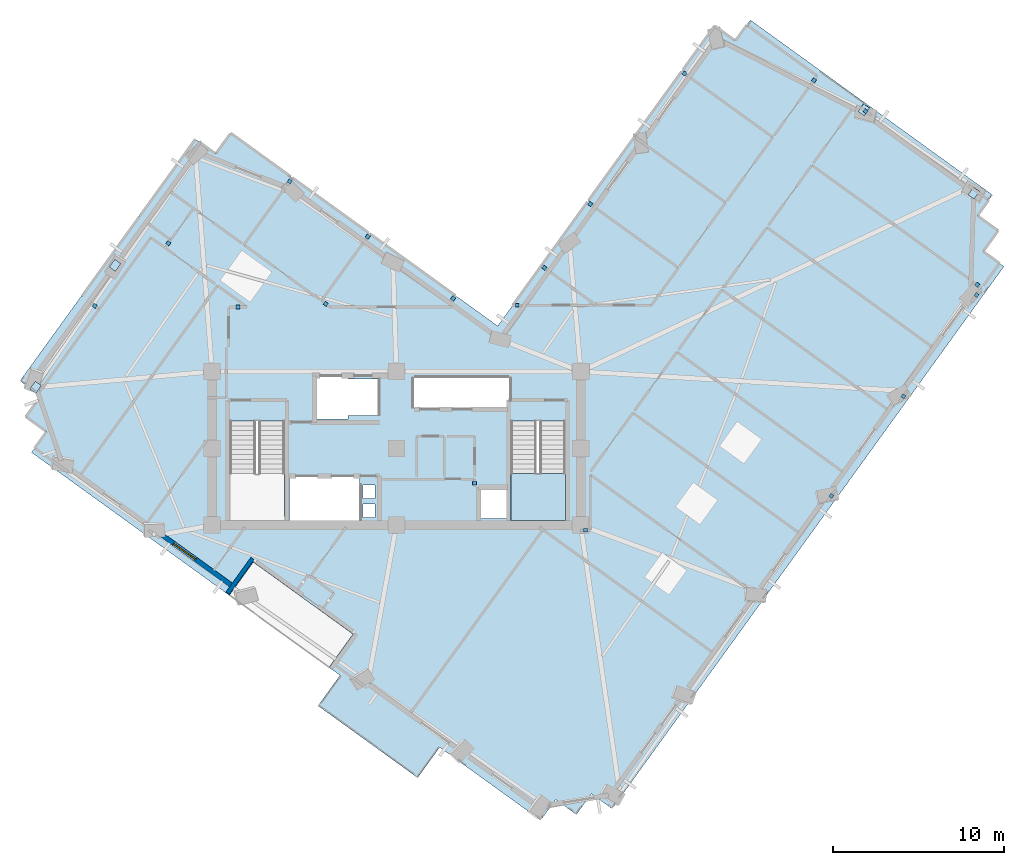
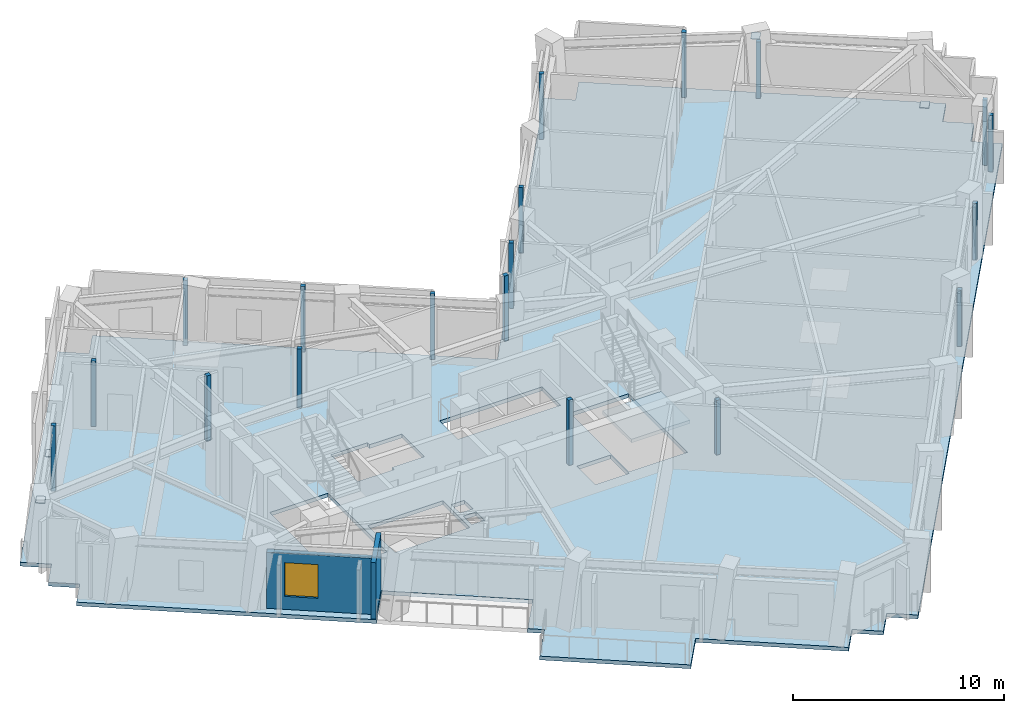
# One storey, part 3 of 13: 23 plates, 2 slabs, 2 walls, 1 window, 1 opening, 1 element without a shape of its own.
"""IFC4 building model written with IfcOpenShell, lengths in metres."""

from ifc_helpers import new_model, si_unit, direction, frame, frame_2d, origin, origin_2d, place, context, subcontext, project, spatial, polyline, rectangle, outline, extrude, material, layer, layer_set, type_object, element, fill, aggregate, save


model = new_model("IFC4")

# Units and contexts
model_context = context("Model", 3, precision=1e-05, world=origin(), true_north=direction((0.0, 1.0)))
body_context = subcontext(model_context, "Body", "Model", "MODEL_VIEW")
ifc_project = project(units=[si_unit("LENGTHUNIT", "METRE"), si_unit("AREAUNIT", "SQUARE_METRE"), si_unit("VOLUMEUNIT", "CUBIC_METRE"), si_unit("PLANEANGLEUNIT", "RADIAN"), si_unit("MASSUNIT", "GRAM", prefix="KILO")], contexts=[model_context])

# Site, building, storey
site_placement = place(None, origin())
site = spatial("IfcSite", under=ifc_project, at=site_placement, CompositionType="ELEMENT")
building_placement = place(site_placement, origin())
building = spatial("IfcBuilding", under=site, at=building_placement, Name="Gaonmaruhae Medical Tower", CompositionType="ELEMENT")
storey_placement = place(building_placement, frame((0.0, 0.0, 255.199951171875)))
storey = spatial("IfcBuildingStorey", under=building, at=storey_placement, Name="L61", CompositionType="ELEMENT", Elevation=255.199951171875)

# Slab
ifc_material_1 = material(Name="Concrete C40/50", Category="concrete")
ifc_layer_1 = layer(ifc_material_1, 0.219970703125)
ifc_layer_set_1 = layer_set([ifc_layer_1], Name="Concrete C40/50")
slab_type_1 = type_object("IfcSlabType", Name="FS-220 Clinical Ward Composite Floor Slab", PredefinedType="FLOOR", material=ifc_layer_set_1)
slab_1_placement = place(storey_placement, frame((0.0, 0.0, -0.219970703125)))
element("IfcSlab", 1, at=slab_1_placement, inside=storey, type_object=slab_type_1, Name="L61 Structural Slab 1", PredefinedType="FLOOR", context=body_context, shape_type="SweptSolid", body=[
    extrude(outline(polyline([(4.300537109375, 13.276611328125), (3.084716796875, 14.1552734375), (3.963134765625, 15.37109375), (2.747314453125, 16.24951171875), (12.996337890625, 30.43408203125), (14.21240234375, 29.5556640625), (15.0908203125, 30.771484375), (30.734619140625, 19.468017578125), (43.443359375, 37.05712890625), (44.6591796875, 36.1787109375), (45.53759765625, 37.39453125), (59.722412109375, 27.145263671875), (58.843994140625, 25.929443359375), (60.059814453125, 25.051025390625), (59.18115234375, 23.835205078125), (60.397216796875, 22.956787109375), (37.43896484375, -8.81689453125), (36.22314453125, -7.9384765625), (35.3447265625, -9.154296875), (34.12890625, -8.27587890625), (33.250244140625, -9.49169921875), (27.333251953125, -5.21630859375), (26.044921875, -6.99951171875), (20.208740234375, -2.78271484375), (21.497314453125, -0.99951171875), (20.848876953125, -0.531005859375), (22.25439453125, 1.414306640625), (16.41845703125, 5.631103515625), (15.012939453125, 3.685791015625), (3.422119140625, 12.060791015625), (4.300537109375, 13.276611328125)]), holes=[polyline([(23.550048828125, 8.25), (22.85009765625, 8.25), (22.85009765625, 9.050048828125), (23.550048828125, 9.050048828125), (23.550048828125, 8.25)]), polyline([(31.425048828125, 9.925048828125), (31.425048828125, 8.175048828125), (29.574951171875, 8.175048828125), (29.574951171875, 9.925048828125), (31.425048828125, 9.925048828125)]), polyline([(22.64990234375, 10.625), (22.64990234375, 8.074951171875), (18.550048828125, 8.074951171875), (18.550048828125, 10.625), (22.64990234375, 10.625)]), polyline([(23.550048828125, 9.35009765625), (22.85009765625, 9.35009765625), (22.85009765625, 10.14990234375), (23.550048828125, 10.14990234375), (23.550048828125, 9.35009765625)]), polyline([(15.050048828125, 13.889892578125), (18.25, 13.889892578125), (18.25, 8.300048828125), (15.050048828125, 8.300048828125), (15.050048828125, 13.889892578125)]), polyline([(31.5, 13.889892578125), (34.699951171875, 13.889892578125), (34.699951171875, 8.300048828125), (31.5, 8.300048828125), (31.5, 13.889892578125)]), polyline([(21.949951171875, 14.22509765625), (21.949951171875, 14.02490234375), (19.949951171875, 14.02490234375), (19.949951171875, 16.574951171875), (21.949951171875, 16.574951171875), (21.949951171875, 16.375), (23.72509765625, 16.375), (23.72509765625, 14.22509765625), (21.949951171875, 14.22509765625)]), polyline([(31.425048828125, 16.425048828125), (31.425048828125, 14.675048828125), (25.824951171875, 14.675048828125), (25.824951171875, 16.425048828125), (31.425048828125, 16.425048828125)])]), origin(), (0.0, 0.0, 1.0), 0.219970703125),
])

# Plates
ifc_material_2 = material(Name="Steel HSA650 (650 MPa)", Category="steel")
ifc_layer_2 = layer(ifc_material_2, 0.028076171875)
ifc_layer_set_2 = layer_set([ifc_layer_2], Name="Steel HSA650 (650 MPa)")
plate_type_1 = type_object("IfcPlateType", Name="GP-02 Tube Brace End Cap Gusset Plate", PredefinedType="USERDEFINED", material=ifc_layer_set_2)
for number, where, z_axis, x_axis, name in (
    (2, (58.63037109375, 27.255859375, 0.23583984375), (0.0, 0.0, 1.0), (0.585665238866, 0.810553038353, 0.0), "L61 Gusset Cap Plate PLT-L61-PBR-E01A"),
    (3, (52.18896484375, 32.13330078125, 3.51611328125), (0.0, 0.0, 1.0), (0.572145873446, 0.820151875874, 0.0), "L61 Gusset Cap Plate PLT-L61-PBR-E01B"),
    (4, (8.317626953125, 23.019775390625, 0.23583984375), (0.0, 0.0, 1.0), (0.585665238866, 0.810553038353, 0.0), "L61 Gusset Cap Plate PLT-L61-PBR-N02A"),
    (5, (3.6591796875, 15.87548828125, 3.51611328125), (0.0, 0.0, 1.0), (0.572145873446, 0.820151875874, 0.0), "L61 Gusset Cap Plate PLT-L61-PBR-N02B"),
):
    element("IfcPlate", number, at=place(storey_placement, frame(where, z_axis=z_axis, x_axis=x_axis)), inside=storey, type_object=plate_type_1, Name=name, ObjectType="GUSSET_PLATE", PredefinedType="USERDEFINED", context=body_context, shape_type="SweptSolid", body=[
        extrude(rectangle(XDim=0.56005859375, YDim=0.43994140625, at=origin_2d()), origin(), (0.0, 0.0, 1.0), 0.028076171875),
    ])
ifc_material_3 = material(Name="Anodised aluminium 6063-T6", Category="aluminium")
ifc_layer_3 = layer(ifc_material_3, 0.011962890625)
ifc_layer_set_3 = layer_set([ifc_layer_3], Name="Anodised aluminium 6063-T6")
plate_type_2 = type_object("IfcPlateType", Name="PP-01 Interior Partition Corner Stiffener Plate", PredefinedType="SHEET", material=ifc_layer_set_3)
plate_1_placement = place(storey_placement, frame((29.3798828125, 10.260009765625, 0.0), z_axis=(0.0, 0.0, 1.0), x_axis=(0.0, -1.0, 0.0)))
element("IfcPlate", 6, at=plate_1_placement, inside=storey, type_object=plate_type_2, Name="L61 Partition Corner Stiffener Plate PLT-L61-JGP-PW002", PredefinedType="SHEET", context=body_context, shape_type="SweptSolid", body=[
    extrude(rectangle(XDim=0.219970703125, YDim=0.219970703125, at=origin_2d()), origin(), (0.0, 0.0, 1.0), 3.780029296875),
])
plate_2_placement = place(storey_placement, frame((35.875, 7.5, 0.0), z_axis=(0.0, 0.0, 1.0), x_axis=(1.0, 0.0, 0.0)))
element("IfcPlate", 7, at=plate_2_placement, inside=storey, type_object=plate_type_2, Name="L61 Partition Corner Stiffener Plate PLT-L61-JGP-PW010", PredefinedType="SHEET", context=body_context, shape_type="SweptSolid", body=[
    extrude(rectangle(XDim=0.219970703125, YDim=0.219970703125, at=origin_2d()), origin(), (0.0, 0.0, 1.0), 3.1650390625),
])
for number, where, z_axis, x_axis, name in (
    (8, (50.28955078125, 9.513916015625, 0.0), (0.0, 0.0, 1.0), (-0.585396417103, -0.810747207731, 0.0), "L61 Partition Corner Stiffener Plate PLT-L61-JGP-PW016"),
    (9, (54.506103515625, 15.35009765625, 0.0), (0.0, 0.0, 1.0), (-0.58576426223, -0.810481479797, 0.0), "L61 Partition Corner Stiffener Plate PLT-L61-JGP-PW021"),
):
    element("IfcPlate", number, at=place(storey_placement, frame(where, z_axis=z_axis, x_axis=x_axis)), inside=storey, type_object=plate_type_2, Name=name, PredefinedType="SHEET", context=body_context, shape_type="SweptSolid", body=[
        extrude(rectangle(XDim=0.219970703125, YDim=0.219970703125, at=origin_2d()), origin(), (0.0, 0.0, 1.0), 3.264892578125),
    ])
plate_3_placement = place(storey_placement, frame((58.83251953125, 21.884521484375, 0.0), z_axis=(0.0, 0.0, 1.0), x_axis=(0.810553038353, -0.585665238866, 0.0)))
element("IfcPlate", 10, at=plate_3_placement, inside=storey, type_object=plate_type_2, Name="L61 Partition Corner Stiffener Plate PLT-L61-JGP-PW024", PredefinedType="SHEET", context=body_context, shape_type="SweptSolid", body=[
    extrude(rectangle(XDim=0.219970703125, YDim=0.219970703125, at=origin_2d()), origin(), (0.0, 0.0, 1.0), 3.780029296875),
])
for number, where, z_axis, x_axis, name in (
    (11, (58.79443359375, 21.284912109375, 0.0), (0.0, 0.0, 1.0), (-0.585424717163, -0.810726773047, 0.0), "L61 Partition Corner Stiffener Plate PLT-L61-JGP-PW025"),
    (12, (52.29052734375, 32.047119140625, 0.0), (0.0, 0.0, 1.0), (0.810716555335, -0.585438866925, 0.0), "L61 Partition Corner Stiffener Plate PLT-L61-JGP-PW030"),
):
    element("IfcPlate", number, at=place(storey_placement, frame(where, z_axis=z_axis, x_axis=x_axis)), inside=storey, type_object=plate_type_2, Name=name, PredefinedType="SHEET", context=body_context, shape_type="SweptSolid", body=[
        extrude(rectangle(XDim=0.219970703125, YDim=0.219970703125, at=origin_2d()), origin(), (0.0, 0.0, 1.0), 3.264892578125),
    ])
for number, where, z_axis, x_axis, name in (
    (13, (15.5224609375, 20.580078125, 0.0), (0.0, 0.0, 1.0), (-1.0, 0.0, 0.0), "L61 Partition Corner Stiffener Plate PLT-L61-JGP-PW049"),
    (14, (36.16162109375, 26.607421875, 0.0), (0.0, 0.0, 1.0), (0.810614364629, -0.585580354739, 0.0), "L61 Partition Corner Stiffener Plate PLT-L61-JGP-PW057"),
    (15, (33.468505859375, 22.880615234375, 0.0), (0.0, 0.0, 1.0), (-0.810614364629, 0.585580354739, 0.0), "L61 Partition Corner Stiffener Plate PLT-L61-JGP-PW062"),
    (16, (41.68701171875, 34.2548828125, 0.0), (0.0, 0.0, 1.0), (0.810920862655, -0.5851558378, 0.0), "L61 Partition Corner Stiffener Plate PLT-L61-JGP-PW068"),
    (17, (49.265380859375, 33.862548828125, 0.0), (0.0, 0.0, 1.0), (-0.585665238866, -0.810553038353, 0.0), "L61 Partition Corner Stiffener Plate PLT-L61-JGP-PW072"),
):
    element("IfcPlate", number, at=place(storey_placement, frame(where, z_axis=z_axis, x_axis=x_axis)), inside=storey, type_object=plate_type_2, Name=name, PredefinedType="SHEET", context=body_context, shape_type="SweptSolid", body=[
        extrude(rectangle(XDim=0.219970703125, YDim=0.219970703125, at=origin_2d()), origin(), (0.0, 0.0, 1.0), 3.780029296875),
    ])
plate_4_placement = place(storey_placement, frame((20.658935546875, 20.764404296875, 0.0), z_axis=(0.0, 0.0, 1.0), x_axis=(-0.810174663262, 0.586188549026, 0.0)))
element("IfcPlate", 18, at=plate_4_placement, inside=storey, type_object=plate_type_2, Name="L61 Partition Corner Stiffener Plate PLT-L61-JGP-PW077", PredefinedType="SHEET", context=body_context, shape_type="SweptSolid", body=[
    extrude(rectangle(XDim=0.219970703125, YDim=0.219970703125, at=origin_2d()), origin(), (0.0, 0.0, 1.0), 3.4150390625),
])
for number, where, z_axis, x_axis, name in (
    (19, (23.117431640625, 24.70361328125, 0.0), (0.0, 0.0, 1.0), (0.585580354739, 0.810614364629, 0.0), "L61 Partition Corner Stiffener Plate PLT-L61-JGP-PW079"),
    (20, (28.126953125, 21.083984375, 0.0), (0.0, 0.0, 1.0), (-0.5851558378, -0.810920862655, 0.0), "L61 Partition Corner Stiffener Plate PLT-L61-JGP-PW081"),
    (21, (18.54638671875, 27.9384765625, 0.0), (0.0, 0.0, 1.0), (0.586089563144, 0.810246273656, 0.0), "L61 Partition Corner Stiffener Plate PLT-L61-JGP-PW084"),
    (22, (7.1259765625, 20.64892578125, 0.0), (0.0, 0.0, 1.0), (-0.810420134263, 0.58584913244, 0.0), "L61 Partition Corner Stiffener Plate PLT-L61-JGP-PW091"),
    (23, (11.4404296875, 24.319091796875, 0.0), (0.0, 0.0, 1.0), (-0.585792553014, -0.810461032273, 0.0), "L61 Partition Corner Stiffener Plate PLT-L61-JGP-PW094"),
    (24, (31.87841796875, 20.679931640625, 0.0), (0.0, 0.0, 1.0), (-1.0, 0.0, 0.0), "L61 Partition Corner Stiffener Plate PLT-L61-JGP-PW099"),
):
    element("IfcPlate", number, at=place(storey_placement, frame(where, z_axis=z_axis, x_axis=x_axis)), inside=storey, type_object=plate_type_2, Name=name, PredefinedType="SHEET", context=body_context, shape_type="SweptSolid", body=[
        extrude(rectangle(XDim=0.219970703125, YDim=0.219970703125, at=origin_2d()), origin(), (0.0, 0.0, 1.0), 3.780029296875),
    ])

# Stair, slab
stair_type = type_object("IfcStairType", Name="ST-T1 Primary Core Escape Dogleg Stair", PredefinedType="TWO_QUARTER_TURN_STAIR", material=ifc_material_1)
stair_placement = place(storey_placement, origin())
stair = element("IfcStair", 25, at=stair_placement, inside=storey, type_object=stair_type, Name="L61 Protected Escape Stair ST-02", PredefinedType="TWO_QUARTER_TURN_STAIR")
ifc_layer_4 = layer(ifc_material_1, 0.199951171875)
ifc_layer_set_4 = layer_set([ifc_layer_4], Name="Concrete C40/50")
slab_type_2 = type_object("IfcSlabType", Name="SL-200 Stair & Ramp Intermediate Concrete Landing", PredefinedType="LANDING", material=ifc_layer_set_4)
slab_2_placement = place(storey_placement, frame((0.0, 0.0, 1.800048828125)))
slab_2 = element("IfcSlab", 26, at=slab_2_placement, type_object=slab_type_2, Name="ST-02 landing 1", PredefinedType="LANDING", context=body_context, shape_type="SweptSolid", body=[
    extrude(outline(polyline([(31.5, 10.820068359375), (31.5, 8.0791015625), (34.699951171875, 8.0791015625), (34.699951171875, 10.820068359375), (31.5, 10.820068359375)])), origin(), (0.0, 0.0, 1.0), 0.199951171875),
])
aggregate(stair, [slab_2])

# Wall
ifc_material_4 = material(Name="Precast concrete C45/55", Category="concrete")
ifc_layer_5 = layer(ifc_material_4, 0.239990234375)
ifc_layer_set_5 = layer_set([ifc_layer_5], Name="Precast concrete C45/55")
wall_type_1 = type_object("IfcWallType", Name="EW-240 Ribbon & Shelter Insulated Precast Wall", PredefinedType="SOLIDWALL", material=ifc_layer_set_5)
wall_1_placement = place(storey_placement, frame((16.370849609375, 5.83837890625, 0.0), z_axis=(0.0, 0.0, 1.0), x_axis=(-0.585718716233, -0.810514395587, 0.0)))
element("IfcWall", 27, at=wall_1_placement, inside=storey, type_object=wall_type_1, Name="L61 Recessed Terrace Enclosure Wall TERR", PredefinedType="SOLIDWALL", context=body_context, shape_type="SweptSolid", body=[
    extrude(rectangle(XDim=2.5, YDim=0.239990234375, at=frame_2d((1.25, 0.0))), origin(), (0.0, 0.0, 1.0), 3.26513671875),
])

# Wall, opening, window
ifc_layer_6 = layer(ifc_material_4, 0.280029296875)
ifc_layer_set_6 = layer_set([ifc_layer_6], Name="Precast concrete C45/55")
wall_type_2 = type_object("IfcWallType", Name="EW-280 Upper Precast Masonry-Frame Facade Wall", PredefinedType="SOLIDWALL", material=ifc_layer_set_6)
wall_2_placement = place(storey_placement, frame((15.189208984375, 4.237060546875, 0.0), z_axis=(0.0, 0.0, 1.0), x_axis=(-0.810568140664, 0.585644336898, 0.0)))
wall_2 = element("IfcWall", 28, at=wall_2_placement, inside=storey, type_object=wall_type_2, Name="L61 Precast Masonry-Frame Wall W02-W03", PredefinedType="SOLIDWALL", context=body_context, shape_type="SweptSolid", body=[
    extrude(rectangle(XDim=5.1005859375, YDim=0.280029296875, at=frame_2d((2.55029296875, 0.0))), origin(), (0.0, 0.0, 1.0), 3.2451171875),
])
opening_placement = place(wall_2_placement, frame((2.6435546875, 0.0, 0.75)))
opening = element("IfcOpeningElement", 29, at=opening_placement, cuts=wall_2, Name="Opening WN-01", PredefinedType="OPENING", context=body_context, shape_type="SweptSolid", body=[
    extrude(rectangle(XDim=1.60009765625, YDim=1.949951171875, at=frame_2d((0.800048828125, 0.97509765625))), frame((0.0, 0.14990234375, 0.0), z_axis=(0.0, -1.0, 0.0), x_axis=(1.0, 0.0, 0.0)), (0.0, 0.0, 1.0), 0.300048828125),
])
ifc_material_5 = material(Name="Anodised aluminium and Low-E double glazing", Category="aluminium")
window_type = type_object("IfcWindowType", Name="WN-01 Ward Punched Acoustic Window 1600x1950", PartitioningType="SINGLE_PANEL", PredefinedType="WINDOW", material=ifc_material_5)
window_placement = place(opening_placement, origin())
window = element("IfcWindow", 30, at=window_placement, inside=storey, type_object=window_type, Name="L61 Modular Facade Window W02", OverallHeight=1.949951171875, OverallWidth=1.60009765625, PartitioningType="SINGLE_PANEL", PredefinedType="WINDOW", context=body_context, shape_type="SweptSolid", body=[
    extrude(rectangle(XDim=1.60009765625, YDim=1.949951171875, at=frame_2d((0.800048828125, 0.97509765625))), frame((0.0, 0.030029296875, 0.0), z_axis=(0.0, -1.0, 0.0), x_axis=(1.0, 0.0, 0.0)), (0.0, 0.0, 1.0), 0.06005859375),
])
fill(opening, window)

save(model, "model.ifc")
